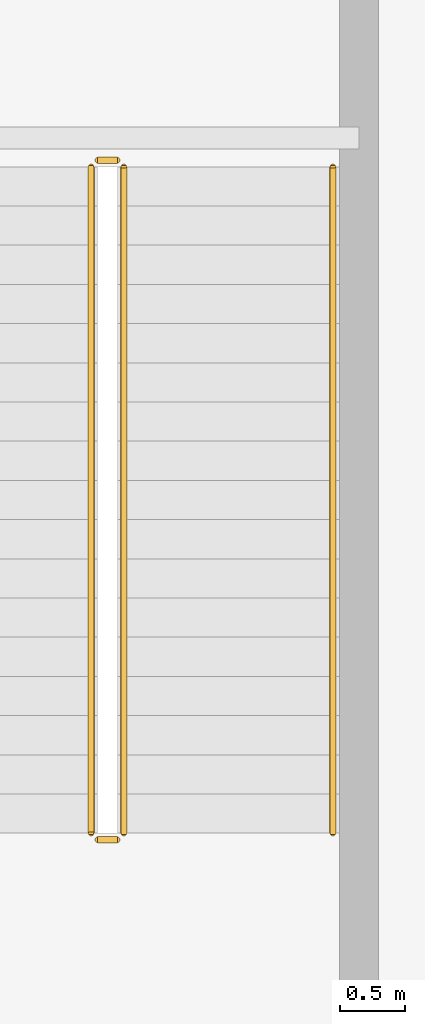
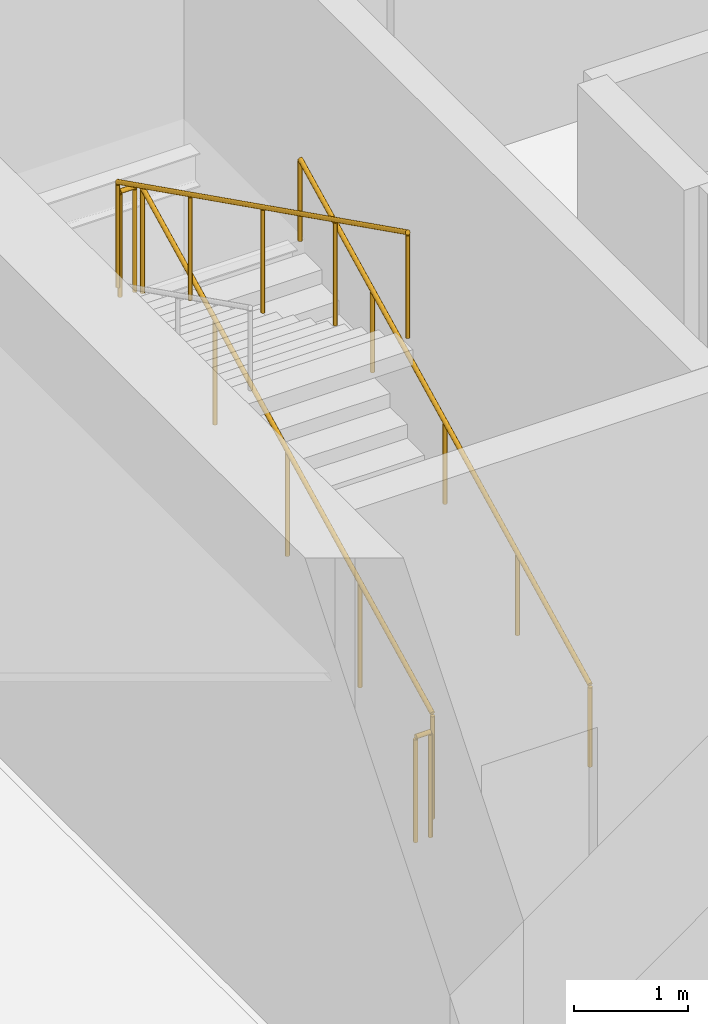
# One storey, part 31 of 39: 5 railings.
"""IFC4 building model written with IfcOpenShell, lengths in metres."""

from ifc_helpers import new_model, si_unit, direction, frame, origin, origin_2d, place, context, subcontext, project, spatial, circle, extrude, material, type_object, element, save


model = new_model("IFC4")

# Units and contexts
model_context = context("Model", 3, precision=1e-05, world=origin(), true_north=direction((0.0, 1.0)))
body_context = subcontext(model_context, "Body", "Model", "MODEL_VIEW")
ifc_project = project(units=[si_unit("LENGTHUNIT", "METRE"), si_unit("AREAUNIT", "SQUARE_METRE"), si_unit("VOLUMEUNIT", "CUBIC_METRE"), si_unit("PLANEANGLEUNIT", "RADIAN"), si_unit("MASSUNIT", "GRAM", prefix="KILO")], contexts=[model_context])

# Site, building, storey
site_placement = place(None, origin())
site = spatial("IfcSite", under=ifc_project, at=site_placement, CompositionType="ELEMENT")
building_placement = place(site_placement, origin())
building = spatial("IfcBuilding", under=site, at=building_placement, Name="Punatoya Terracotta Tower", CompositionType="ELEMENT")
storey_placement = place(building_placement, frame((0.0, 0.0, 11.39990234375)))
storey = spatial("IfcBuildingStorey", under=building, at=storey_placement, Name="L02", CompositionType="ELEMENT", Elevation=11.39990234375)

# Railings
ifc_material = material(Name="Steel S355", Category="steel")
railing_type_1 = type_object("IfcRailingType", Name="RLG-GRD-1150", PredefinedType="GUARDRAIL", material=ifc_material)
railing_1_placement = place(storey_placement, frame((-7.85009765625, -3.800048828125, 0.150146484375)))
element("IfcRailing", 1, at=railing_1_placement, inside=storey, type_object=railing_type_1, Name="L02 ST-1 stair guard 1", PredefinedType="GUARDRAIL", context=body_context, shape_type="SweptSolid", body=[
    extrude(circle(Radius=0.02392578125, at=origin_2d()), frame((0.0, 0.0, 1.1259765625), z_axis=(0.0, 0.894427191, 0.4472135955), x_axis=(-1.0, 0.0, 0.0)), (0.0, 0.0, 1.0), 5.7021484375),
    extrude(circle(Radius=0.02099609375, at=origin_2d()), origin(), (0.0, 0.0, 1.0), 1.101806640625),
    extrude(circle(Radius=0.02099609375, at=origin_2d()), frame((0.0, 1.27490234375, 0.637451171875)), (0.0, 0.0, 1.0), 1.101806640625),
    extrude(circle(Radius=0.02099609375, at=origin_2d()), frame((0.0, 2.550048828125, 1.27490234375)), (0.0, 0.0, 1.0), 1.101806640625),
    extrude(circle(Radius=0.02099609375, at=origin_2d()), frame((0.0, 3.8251953125, 1.91259765625)), (0.0, 0.0, 1.0), 1.101806640625),
    extrude(circle(Radius=0.02099609375, at=origin_2d()), frame((0.0, 5.10009765625, 2.550048828125)), (0.0, 0.0, 1.0), 1.101806640625),
])
railing_2_placement = place(storey_placement, frame((-7.89990234375, 1.35009765625, 2.7001953125)))
element("IfcRailing", 2, at=railing_2_placement, inside=storey, type_object=railing_type_1, Name="L02 ST-1 stair guard 2", PredefinedType="GUARDRAIL", context=body_context, shape_type="SweptSolid", body=[
    extrude(circle(Radius=0.02392578125, at=origin_2d()), frame((0.0, 0.0, 1.1259765625), z_axis=(-1.0, 0.0, 0.0), x_axis=(0.0, -1.0, 0.0)), (0.0, 0.0, 1.0), 0.150146484375),
    extrude(circle(Radius=0.02099609375, at=origin_2d()), origin(), (0.0, 0.0, 1.0), 1.101806640625),
    extrude(circle(Radius=0.02099609375, at=origin_2d()), frame((-0.150146484375, 0.0, 0.0)), (0.0, 0.0, 1.0), 1.101806640625),
])
railing_3_placement = place(storey_placement, frame((-8.10009765625, 1.300048828125, 2.85009765625)))
element("IfcRailing", 3, at=railing_3_placement, inside=storey, type_object=railing_type_1, Name="L02 ST-1 stair guard 3", PredefinedType="GUARDRAIL", context=body_context, shape_type="SweptSolid", body=[
    extrude(circle(Radius=0.02392578125, at=origin_2d()), frame((0.0, 0.0, 1.1259765625), z_axis=(0.0, -0.894427191, 0.4472135955), x_axis=(1.0, 0.0, 0.0)), (0.0, 0.0, 1.0), 5.7021484375),
    extrude(circle(Radius=0.02099609375, at=origin_2d()), origin(), (0.0, 0.0, 1.0), 1.101806640625),
    extrude(circle(Radius=0.02099609375, at=origin_2d()), frame((0.0, -1.27490234375, 0.637451171875)), (0.0, 0.0, 1.0), 1.101806640625),
    extrude(circle(Radius=0.02099609375, at=origin_2d()), frame((0.0, -2.550048828125, 1.27490234375)), (0.0, 0.0, 1.0), 1.101806640625),
    extrude(circle(Radius=0.02099609375, at=origin_2d()), frame((0.0, -3.8251953125, 1.91259765625)), (0.0, 0.0, 1.0), 1.101806640625),
    extrude(circle(Radius=0.02099609375, at=origin_2d()), frame((0.0, -5.10009765625, 2.550048828125)), (0.0, 0.0, 1.0), 1.101806640625),
])
railing_4_placement = place(storey_placement, frame((-7.89990234375, -3.85009765625, 0.0)))
element("IfcRailing", 4, at=railing_4_placement, inside=storey, type_object=railing_type_1, Name="L02 ST-1 stair guard 4", PredefinedType="GUARDRAIL", context=body_context, shape_type="SweptSolid", body=[
    extrude(circle(Radius=0.02392578125, at=origin_2d()), frame((0.0, 0.0, 1.1259765625), z_axis=(-1.0, 0.0, 0.0), x_axis=(0.0, -1.0, 0.0)), (0.0, 0.0, 1.0), 0.150146484375),
    extrude(circle(Radius=0.02099609375, at=origin_2d()), origin(), (0.0, 0.0, 1.0), 1.101806640625),
    extrude(circle(Radius=0.02099609375, at=origin_2d()), frame((-0.150146484375, 0.0, 0.0)), (0.0, 0.0, 1.0), 1.101806640625),
])
railing_type_2 = type_object("IfcRailingType", Name="RLG-HND-900", PredefinedType="HANDRAIL", material=ifc_material)
railing_5_placement = place(storey_placement, frame((-6.25, -3.800048828125, 0.150146484375)))
element("IfcRailing", 5, at=railing_5_placement, inside=storey, type_object=railing_type_2, Name="L02 ST-1 stair handrail 1", PredefinedType="HANDRAIL", context=body_context, shape_type="SweptSolid", body=[
    extrude(circle(Radius=0.02392578125, at=origin_2d()), frame((0.0, 0.0, 0.8759765625), z_axis=(0.0, 0.894427191, 0.4472135955), x_axis=(-1.0, 0.0, 0.0)), (0.0, 0.0, 1.0), 5.7021484375),
    extrude(circle(Radius=0.02099609375, at=origin_2d()), origin(), (0.0, 0.0, 1.0), 0.851806640625),
    extrude(circle(Radius=0.02099609375, at=origin_2d()), frame((0.0, 1.27490234375, 0.637451171875)), (0.0, 0.0, 1.0), 0.851806640625),
    extrude(circle(Radius=0.02099609375, at=origin_2d()), frame((0.0, 2.550048828125, 1.27490234375)), (0.0, 0.0, 1.0), 0.851806640625),
    extrude(circle(Radius=0.02099609375, at=origin_2d()), frame((0.0, 3.8251953125, 1.91259765625)), (0.0, 0.0, 1.0), 0.851806640625),
    extrude(circle(Radius=0.02099609375, at=origin_2d()), frame((0.0, 5.10009765625, 2.550048828125)), (0.0, 0.0, 1.0), 0.851806640625),
])

save(model, "model.ifc")
